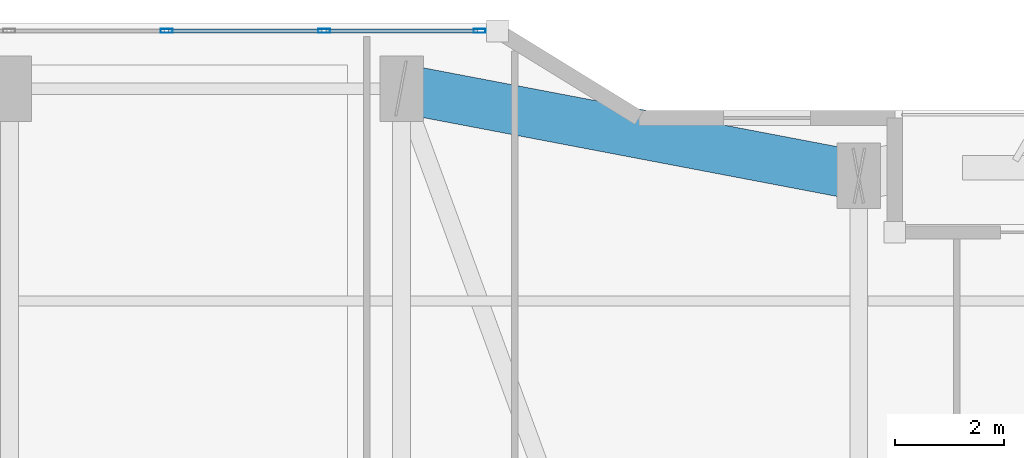
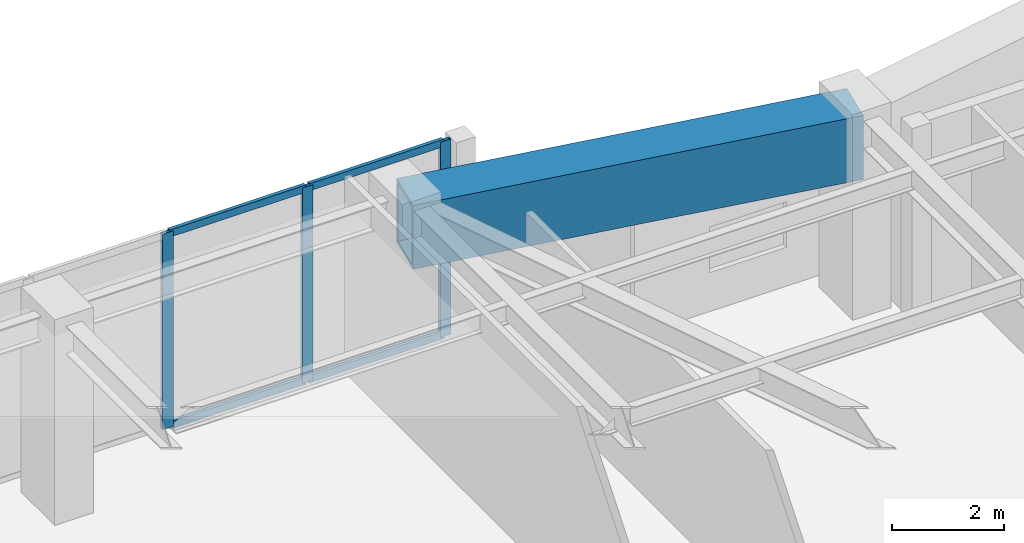
# One storey, part 10 of 21: 7 members, 1 beam, 1 element without a shape of its own.
"""IFC4 building model written with IfcOpenShell, lengths in metres."""

from ifc_helpers import new_model, si_unit, direction, frame, origin, origin_2d, place, context, subcontext, project, spatial, hollow_rectangle, extrude, material, layer, layer_set, material_profile, profile_set, type_object, element, aggregate, save


model = new_model("IFC4")

# Units and contexts
model_context = context("Model", 3, precision=1e-05, world=origin(), true_north=direction((0.0, 1.0)))
body_context = subcontext(model_context, "Body", "Model", "MODEL_VIEW")
ifc_project = project(units=[si_unit("LENGTHUNIT", "METRE"), si_unit("AREAUNIT", "SQUARE_METRE"), si_unit("VOLUMEUNIT", "CUBIC_METRE"), si_unit("PLANEANGLEUNIT", "RADIAN"), si_unit("MASSUNIT", "GRAM", prefix="KILO")], contexts=[model_context])

# Site, building, storey
site_placement = place(None, origin())
site = spatial("IfcSite", under=ifc_project, at=site_placement, CompositionType="ELEMENT")
building_placement = place(site_placement, origin())
building = spatial("IfcBuilding", under=site, at=building_placement, Name="Kiyonajd Concourse Tower", CompositionType="ELEMENT")
storey_placement = place(building_placement, frame((0.0, 0.0, 181.800048828125)))
storey = spatial("IfcBuildingStorey", under=building, at=storey_placement, Name="L46", CompositionType="ELEMENT", Elevation=181.800048828125)

# Beam
ifc_material_1 = material(Name="Steel ASTM A572 Grade 50", Category="steel")
ifc_material_profile_1 = material_profile(ifc_material_1, hollow_rectangle(XDim=0.89990234375, YDim=1.39990234375, WallThickness=0.070068359375, at=origin_2d()), Name="BOX-1400x900x70")
ifc_profile_set_1 = profile_set([ifc_material_profile_1], Name="Steel ASTM A572 Grade 50")
beam_type = type_object("IfcBeamType", Name="BM-XFER-1400", PredefinedType="BEAM", material=ifc_profile_set_1)
beam_placement = place(storey_placement, frame((48.0, 59.60009765625, 3.579833984375), z_axis=(-0.982341315253, 0.187097675953, 0.0), x_axis=(-0.187097675953, -0.982341315253, 0.0)))
element("IfcBeam", 1, at=beam_placement, inside=storey, type_object=beam_type, Name="L46 Perimeter Bundled Tube Spandrel", PredefinedType="BEAM", context=body_context, shape_type="SweptSolid", body=[
    extrude(hollow_rectangle(XDim=0.89990234375, YDim=1.39990234375, WallThickness=0.070068359375, at=origin_2d()), origin(), (0.0, 0.0, 1.0), 8.55078125),
])

# Curtain wall, members
ifc_material_2 = material(Name="Thermally Broken Anodised Aluminium", Category="aluminium")
ifc_layer = layer(ifc_material_2, 0.179931640625)
ifc_layer_set = layer_set([ifc_layer], Name="Thermally Broken Anodised Aluminium")
curtain_wall_type = type_object("IfcCurtainWallType", Name="CW-SYS-05", PredefinedType="NOTDEFINED", material=ifc_layer_set)
curtain_wall_placement = place(storey_placement, origin())
curtain_wall = element("IfcCurtainWall", 2, at=curtain_wall_placement, inside=storey, type_object=curtain_wall_type, Name="L46 Unitised Curtain Wall CW5", PredefinedType="NOTDEFINED")
ifc_material_profile_2 = material_profile(ifc_material_2, hollow_rectangle(XDim=0.074951171875, YDim=0.219970703125, WallThickness=0.0048828125, at=origin_2d()), Name="MULL-75x220")
ifc_profile_set_2 = profile_set([ifc_material_profile_2], Name="Thermally Broken Anodised Aluminium")
member_type_1 = type_object("IfcMemberType", Name="MB-CW-MULL2", PredefinedType="MULLION", material=ifc_profile_set_2)
member_1_placement = place(storey_placement, frame((35.282958984375, 62.260009765625, 0.0), z_axis=(0.0, 0.0, 1.0), x_axis=(0.0, 1.0, 0.0)))
member_1 = element("IfcMember", 3, at=member_1_placement, type_object=member_type_1, Name="CW5 mullion 5", PredefinedType="MULLION", context=body_context, shape_type="SweptSolid", body=[
    extrude(hollow_rectangle(XDim=0.074951171875, YDim=0.219970703125, WallThickness=0.0048828125, at=origin_2d()), origin(), (0.0, 0.0, 1.0), 4.280029296875),
])
member_2_placement = place(storey_placement, frame((38.1767578125, 62.260009765625, 0.0), z_axis=(0.0, 0.0, 1.0), x_axis=(0.0, 1.0, 0.0)))
member_2 = element("IfcMember", 4, at=member_2_placement, type_object=member_type_1, Name="CW5 mullion 6", PredefinedType="MULLION", context=body_context, shape_type="SweptSolid", body=[
    extrude(hollow_rectangle(XDim=0.074951171875, YDim=0.219970703125, WallThickness=0.0048828125, at=origin_2d()), origin(), (0.0, 0.0, 1.0), 4.280029296875),
])
member_3_placement = place(storey_placement, frame((41.032958984375, 62.260009765625, 0.0), z_axis=(0.0, 0.0, 1.0), x_axis=(0.0, 1.0, 0.0)))
member_3 = element("IfcMember", 5, at=member_3_placement, type_object=member_type_1, Name="CW5 mullion 7", PredefinedType="MULLION", context=body_context, shape_type="SweptSolid", body=[
    extrude(hollow_rectangle(XDim=0.074951171875, YDim=0.219970703125, WallThickness=0.0048828125, at=origin_2d()), origin(), (0.0, 0.0, 1.0), 4.280029296875),
])
ifc_material_profile_3 = material_profile(ifc_material_2, hollow_rectangle(XDim=0.074951171875, YDim=0.159912109375, WallThickness=0.0048828125, at=origin_2d()), Name="TRAN-75x160")
ifc_profile_set_3 = profile_set([ifc_material_profile_3], Name="Thermally Broken Anodised Aluminium")
member_type_2 = type_object("IfcMemberType", Name="MB-CW-TRAN2", PredefinedType="USERDEFINED", material=ifc_profile_set_3)
member_4_placement = place(storey_placement, frame((35.320556640625, 62.260009765625, 0.037353515625), z_axis=(1.0, 0.0, 0.0), x_axis=(0.0, 1.0, 0.0)))
member_4 = element("IfcMember", 6, at=member_4_placement, type_object=member_type_2, Name="CW5 transom 5.1", ObjectType="TRANSOM", PredefinedType="USERDEFINED", context=body_context, shape_type="SweptSolid", body=[
    extrude(hollow_rectangle(XDim=0.074951171875, YDim=0.159912109375, WallThickness=0.0048828125, at=origin_2d()), origin(), (0.0, 0.0, 1.0), 2.818603515625),
])
member_5_placement = place(storey_placement, frame((35.320556640625, 62.260009765625, 4.242431640625), z_axis=(1.0, 0.0, 0.0), x_axis=(0.0, 1.0, 0.0)))
member_5 = element("IfcMember", 7, at=member_5_placement, type_object=member_type_2, Name="CW5 transom 5.2", ObjectType="TRANSOM", PredefinedType="USERDEFINED", context=body_context, shape_type="SweptSolid", body=[
    extrude(hollow_rectangle(XDim=0.074951171875, YDim=0.159912109375, WallThickness=0.0048828125, at=origin_2d()), origin(), (0.0, 0.0, 1.0), 2.818603515625),
])
member_6_placement = place(storey_placement, frame((38.214111328125, 62.260009765625, 0.037353515625), z_axis=(1.0, 0.0, 0.0), x_axis=(0.0, 1.0, 0.0)))
member_6 = element("IfcMember", 8, at=member_6_placement, type_object=member_type_2, Name="CW5 transom 6.1", ObjectType="TRANSOM", PredefinedType="USERDEFINED", context=body_context, shape_type="SweptSolid", body=[
    extrude(hollow_rectangle(XDim=0.074951171875, YDim=0.159912109375, WallThickness=0.0048828125, at=origin_2d()), origin(), (0.0, 0.0, 1.0), 2.78125),
])
member_7_placement = place(storey_placement, frame((38.214111328125, 62.260009765625, 4.242431640625), z_axis=(1.0, 0.0, 0.0), x_axis=(0.0, 1.0, 0.0)))
member_7 = element("IfcMember", 9, at=member_7_placement, type_object=member_type_2, Name="CW5 transom 6.2", ObjectType="TRANSOM", PredefinedType="USERDEFINED", context=body_context, shape_type="SweptSolid", body=[
    extrude(hollow_rectangle(XDim=0.074951171875, YDim=0.159912109375, WallThickness=0.0048828125, at=origin_2d()), origin(), (0.0, 0.0, 1.0), 2.78125),
])
aggregate(curtain_wall, [member_1, member_2, member_3, member_4, member_5, member_6, member_7])

save(model, "model.ifc")
